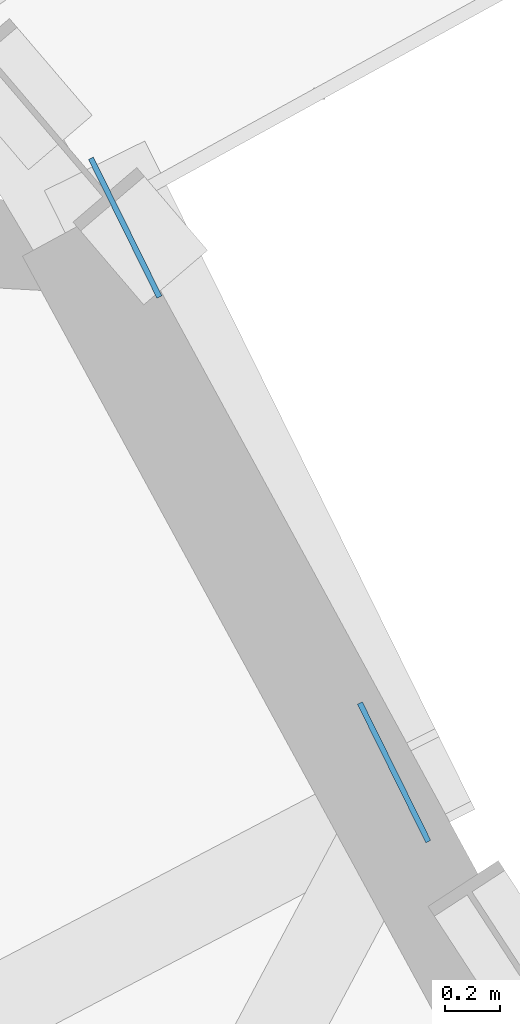
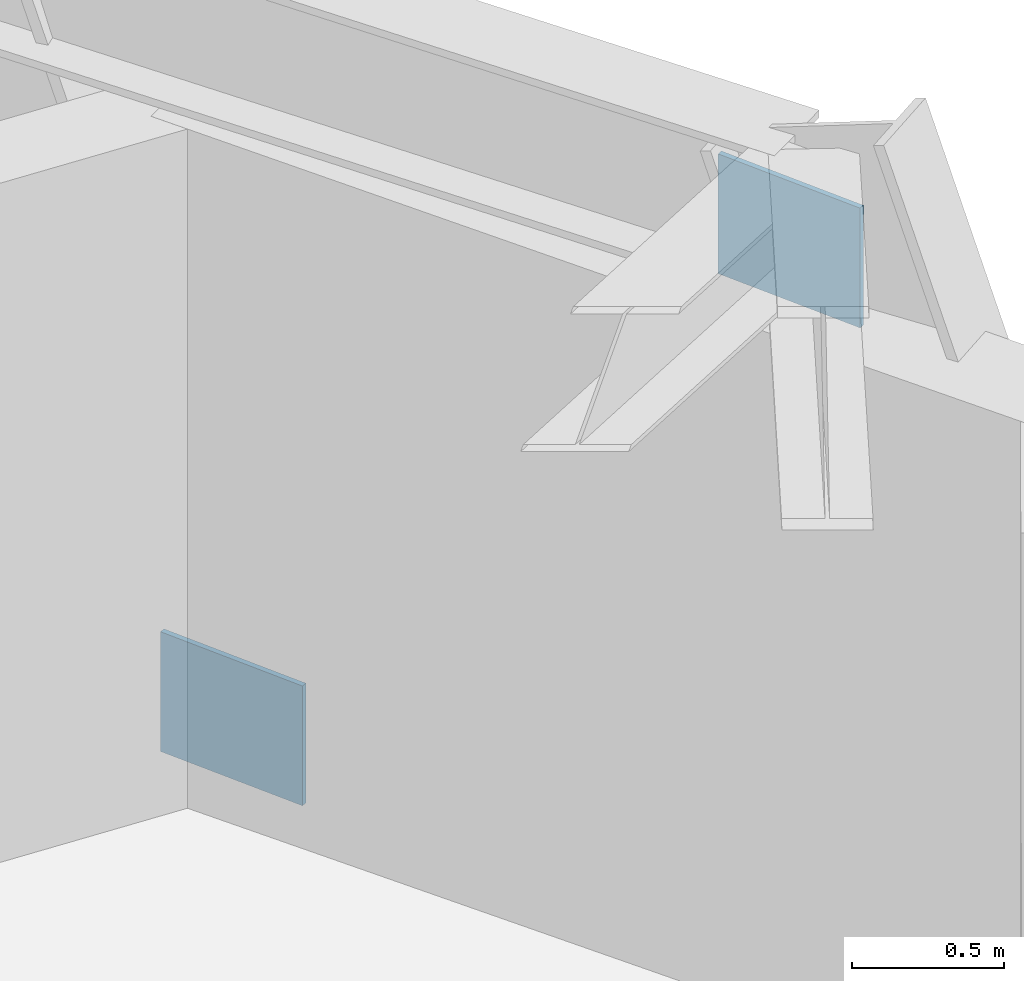
# One storey, part 8 of 15: 2 plates.
"""IFC4 building model written with IfcOpenShell, lengths in metres."""

from ifc_helpers import new_model, si_unit, direction, frame, origin, origin_2d, place, context, subcontext, project, spatial, rectangle, extrude, source, transform, mapped, material, type_object, element, save


model = new_model("IFC4")

# Units and contexts
model_context = context("Model", 3, precision=1e-05, world=origin(), true_north=direction((0.0, 1.0)))
body_context = subcontext(model_context, "Body", "Model", "MODEL_VIEW")
ifc_project = project(units=[si_unit("LENGTHUNIT", "METRE"), si_unit("AREAUNIT", "SQUARE_METRE"), si_unit("VOLUMEUNIT", "CUBIC_METRE"), si_unit("PLANEANGLEUNIT", "RADIAN"), si_unit("MASSUNIT", "GRAM", prefix="KILO")], contexts=[model_context])

# Site, building, storey
site_placement = place(None, origin())
site = spatial("IfcSite", under=ifc_project, at=site_placement, CompositionType="ELEMENT")
building_placement = place(site_placement, origin())
building = spatial("IfcBuilding", under=site, at=building_placement, Name="Olszyna Solenne Hotel", CompositionType="ELEMENT")
storey_placement = place(building_placement, frame((0.0, 0.0, 157.25)))
storey = spatial("IfcBuildingStorey", under=building, at=storey_placement, Name="L41", CompositionType="ELEMENT", Elevation=157.25)

# Plates
ifc_material = material(Name="Steel S355J2", Category="steel")
plate_type = type_object("IfcPlateType", Name="GP-ND2", PredefinedType="USERDEFINED", material=ifc_material)
shared_shape = source(origin(), body_context, "Body", "SweptSolid", [
    extrude(rectangle(XDim=0.56005859375, YDim=0.02001953125, at=origin_2d()), origin(), (0.0, 0.0, 1.0), 0.47998046875),
])
for number, where, z_axis, x_axis, name in (
    (1, (63.051025390625, 42.337646484375, -0.120361328125), (0.0, 0.0, 1.0), (0.442758231039, -0.896641036785, 0.0), "Brace end connection gusset plate GP-ND2 EP-BR-L41-1-1"),
    (2, (64.025390625, 40.3642578125, 2.650390625), (0.0, 0.0, 1.0), (0.442758231039, -0.896641036785, 0.0), "Brace end connection gusset plate GP-ND2 EP-BR-L41-1-2"),
):
    element("IfcPlate", number, at=place(storey_placement, frame(where, z_axis=z_axis, x_axis=x_axis)), inside=storey, type_object=plate_type, Name=name, ObjectType="GUSSET_PLATE", PredefinedType="USERDEFINED", context=body_context, shape_type="MappedRepresentation", body=[
        mapped(shared_shape, transform((0.0, 0.0, 0.0), x_axis=(1.0, 0.0, 0.0), y_axis=(0.0, 1.0, 0.0), z_axis=(0.0, 0.0, 1.0), scale=1.0)),
    ])

save(model, "model.ifc")
